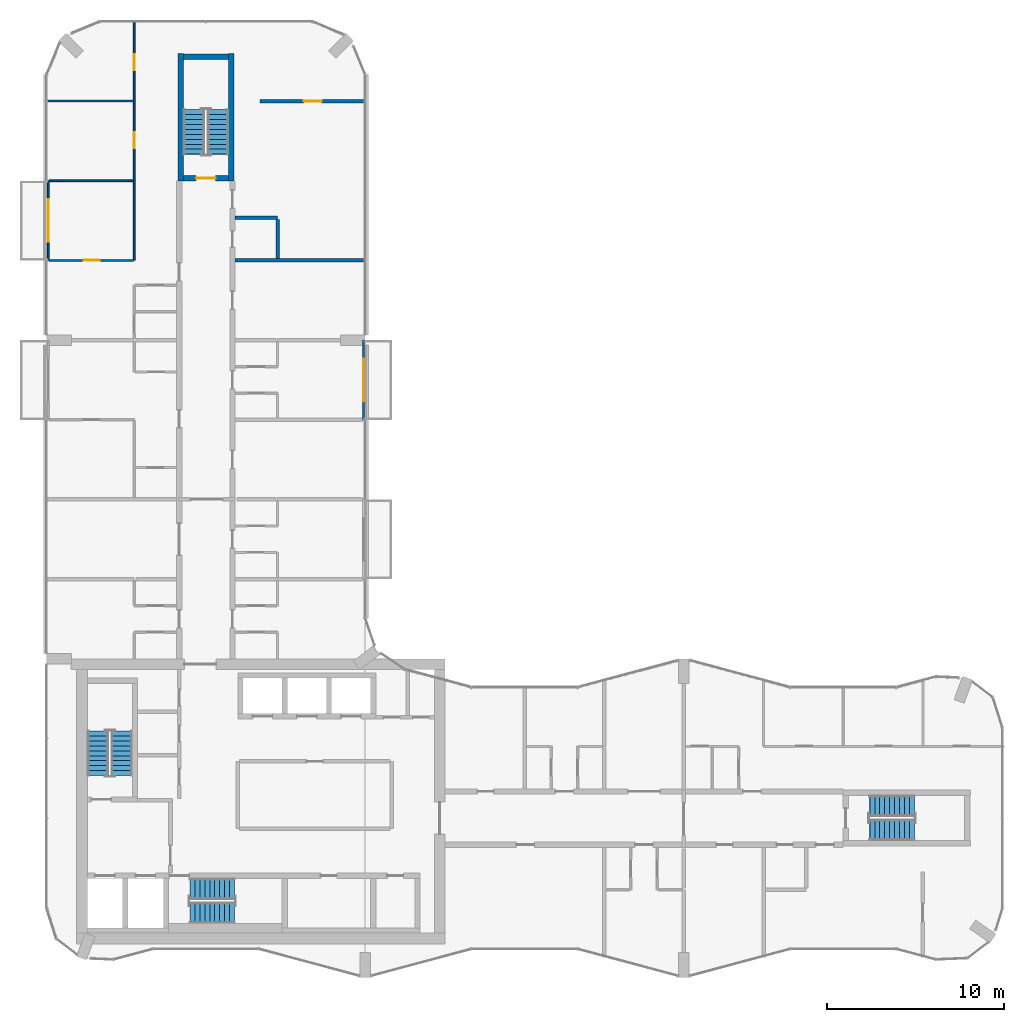
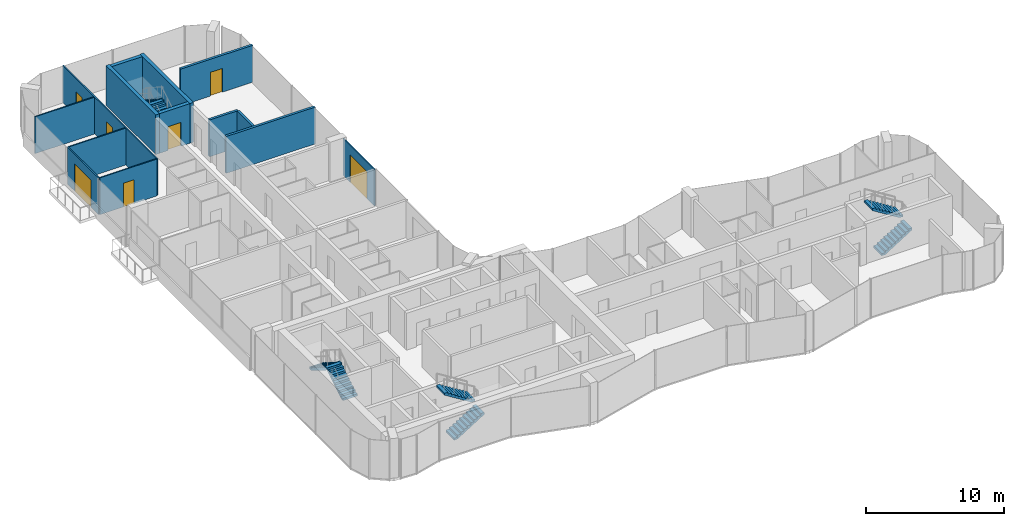
# One storey, part 13 of 15: 14 walls, 8 stair flights, 7 doors, 7 openings, 4 elements without a shape of their own.
"""IFC4 building model written with IfcOpenShell, lengths in metres."""

from ifc_helpers import new_model, si_unit, direction, frame, frame_2d, origin, place, context, subcontext, project, spatial, polyline, rectangle, outline, extrude, material, layer, layer_set, type_object, element, fill, aggregate, save


model = new_model("IFC4")

# Units and contexts
model_context = context("Model", 3, precision=1e-05, world=origin(), true_north=direction((0.0, 1.0)))
body_context = subcontext(model_context, "Body", "Model", "MODEL_VIEW")
ifc_project = project(units=[si_unit("LENGTHUNIT", "METRE"), si_unit("AREAUNIT", "SQUARE_METRE"), si_unit("VOLUMEUNIT", "CUBIC_METRE"), si_unit("PLANEANGLEUNIT", "RADIAN"), si_unit("MASSUNIT", "GRAM", prefix="KILO")], contexts=[model_context])

# Site, building, storey
site_placement = place(None, origin())
site = spatial("IfcSite", under=ifc_project, at=site_placement, CompositionType="ELEMENT")
building_placement = place(site_placement, origin())
building = spatial("IfcBuilding", under=site, at=building_placement, Name="Plateau Cross Towers", CompositionType="ELEMENT")
storey_placement = place(building_placement, frame((0.0, 0.0, 170.89990234375)))
storey = spatial("IfcBuildingStorey", under=building, at=storey_placement, Name="L44", CompositionType="ELEMENT", Elevation=170.89990234375)

# Wall, opening, door
ifc_material_1 = material(Name="Aluminium framed glazing", Category="aluminium")
ifc_layer_1 = layer(ifc_material_1, 0.10009765625)
ifc_layer_set_1 = layer_set([ifc_layer_1], Name="Aluminium framed glazing")
wall_type_1 = type_object("IfcWallType", Name="Balcony screen wall 100", PredefinedType="STANDARD", material=ifc_layer_set_1)
wall_1_placement = place(storey_placement, frame((0.10009765625, 40.5, 0.0), z_axis=(0.0, 0.0, 1.0), x_axis=(0.0, 1.0, 0.0)))
wall_1 = element("IfcWall", 1, at=wall_1_placement, inside=storey, type_object=wall_type_1, Name="Balcony screen wall A-BAL-L44-02", PredefinedType="STANDARD", context=body_context, shape_type="SweptSolid", body=[
    extrude(rectangle(XDim=4.5, YDim=0.10009765625, at=frame_2d((2.25, 0.0))), origin(), (0.0, 0.0, 1.0), 3.25),
])
opening_1_placement = place(wall_1_placement, frame((1.050048828125, 0.0, 0.0)))
opening_1 = element("IfcOpeningElement", 2, at=opening_1_placement, cuts=wall_1, Name="Opening D-B24", PredefinedType="OPENING", context=body_context, shape_type="SweptSolid", body=[
    extrude(rectangle(XDim=2.39990234375, YDim=2.39990234375, at=frame_2d((1.199951171875, 1.199951171875))), frame((0.0, 0.06005859375, 0.0), z_axis=(0.0, -1.0, 0.0), x_axis=(1.0, 0.0, 0.0)), (0.0, 0.0, 1.0), 0.1201171875),
])
ifc_material_2 = material(Name="Aluminium frame, double glazing", Category="aluminium")
door_type_1 = type_object("IfcDoorType", Name="Balcony sliding door 2400", OperationType="NOTDEFINED", PredefinedType="DOOR", material=ifc_material_2)
door_1_placement = place(opening_1_placement, origin())
door_1 = element("IfcDoor", 3, at=door_1_placement, inside=storey, type_object=door_type_1, Name="Balcony door A-BAL-L44-02", OperationType="SINGLE_SWING_LEFT", OverallHeight=2.39990234375, OverallWidth=2.39990234375, PredefinedType="DOOR", context=body_context, shape_type="SweptSolid", body=[
    extrude(rectangle(XDim=2.39990234375, YDim=2.39990234375, at=frame_2d((1.199951171875, 1.199951171875))), frame((0.0, 0.02490234375, 0.0), z_axis=(0.0, -1.0, 0.0), x_axis=(1.0, 0.0, 0.0)), (0.0, 0.0, 1.0), 0.050048828125),
])
fill(opening_1, door_1)

wall_2_placement = place(storey_placement, frame((17.89990234375, 36.0, 0.0), z_axis=(0.0, 0.0, 1.0), x_axis=(0.0, -1.0, 0.0)))
wall_2 = element("IfcWall", 4, at=wall_2_placement, inside=storey, type_object=wall_type_1, Name="Balcony screen wall A-BAL-L44-04", PredefinedType="STANDARD", context=body_context, shape_type="SweptSolid", body=[
    extrude(rectangle(XDim=4.5, YDim=0.10009765625, at=frame_2d((2.25, 0.0))), origin(), (0.0, 0.0, 1.0), 3.25),
])
opening_2_placement = place(wall_2_placement, frame((1.050048828125, 0.0, 0.0)))
opening_2 = element("IfcOpeningElement", 5, at=opening_2_placement, cuts=wall_2, Name="Opening D-B24", PredefinedType="OPENING", context=body_context, shape_type="SweptSolid", body=[
    extrude(rectangle(XDim=2.39990234375, YDim=2.39990234375, at=frame_2d((1.199951171875, 1.199951171875))), frame((0.0, 0.06005859375, 0.0), z_axis=(0.0, -1.0, 0.0), x_axis=(1.0, 0.0, 0.0)), (0.0, 0.0, 1.0), 0.1201171875),
])
door_2_placement = place(opening_2_placement, origin())
door_2 = element("IfcDoor", 6, at=door_2_placement, inside=storey, type_object=door_type_1, Name="Balcony door A-BAL-L44-04", OperationType="SINGLE_SWING_LEFT", OverallHeight=2.39990234375, OverallWidth=2.39990234375, PredefinedType="DOOR", context=body_context, shape_type="SweptSolid", body=[
    extrude(rectangle(XDim=2.39990234375, YDim=2.39990234375, at=frame_2d((1.199951171875, 1.199951171875))), frame((0.0, 0.02490234375, 0.0), z_axis=(0.0, -1.0, 0.0), x_axis=(1.0, 0.0, 0.0)), (0.0, 0.0, 1.0), 0.050048828125),
])
fill(opening_2, door_2)

ifc_material_3 = material(Name="Gypsum board on steel studs", Category="steel")
ifc_layer_2 = layer(ifc_material_3, 0.10009765625)
ifc_layer_set_2 = layer_set([ifc_layer_2], Name="Gypsum board on steel studs")
wall_type_2 = type_object("IfcWallType", Name="Flat partition 100", PredefinedType="PARTITIONING", material=ifc_layer_set_2)
wall_3_placement = place(storey_placement, frame((0.14990234375, 40.5, 0.0), z_axis=(0.0, 0.0, 1.0), x_axis=(1.0, 0.0, 0.0)))
wall_3 = element("IfcWall", 7, at=wall_3_placement, inside=storey, type_object=wall_type_2, Name="Partition wall", PredefinedType="PARTITIONING", context=body_context, shape_type="SweptSolid", body=[
    extrude(rectangle(XDim=4.75, YDim=0.10009765625, at=frame_2d((2.375, 0.0))), origin(), (0.0, 0.0, 1.0), 3.25),
])
opening_3_placement = place(wall_3_placement, frame((1.949951171875, 0.0, 0.0)))
opening_3 = element("IfcOpeningElement", 8, at=opening_3_placement, cuts=wall_3, Name="Opening 44-41", PredefinedType="OPENING", context=body_context, shape_type="SweptSolid", body=[
    extrude(rectangle(XDim=0.89990234375, YDim=2.10009765625, at=frame_2d((0.449951171875, 1.050048828125))), frame((0.0, 0.06005859375, 0.0), z_axis=(0.0, -1.0, 0.0), x_axis=(1.0, 0.0, 0.0)), (0.0, 0.0, 1.0), 0.1201171875),
])
ifc_material_4 = material(Name="Timber leaf", Category="wood")
door_type_2 = type_object("IfcDoorType", Name="Flat room door 900", OperationType="NOTDEFINED", PredefinedType="DOOR", material=ifc_material_4)
door_3_placement = place(opening_3_placement, origin())
door_3 = element("IfcDoor", 9, at=door_3_placement, inside=storey, type_object=door_type_2, Name="Door 44-41", OperationType="SINGLE_SWING_RIGHT", OverallHeight=2.10009765625, OverallWidth=0.89990234375, PredefinedType="DOOR", context=body_context, shape_type="SweptSolid", body=[
    extrude(rectangle(XDim=0.89990234375, YDim=2.10009765625, at=frame_2d((0.449951171875, 1.050048828125))), frame((0.0, 0.02490234375, 0.0), z_axis=(0.0, -1.0, 0.0), x_axis=(1.0, 0.0, 0.0)), (0.0, 0.0, 1.0), 0.050048828125),
])
fill(opening_3, door_3)

# Walls
wall_4_placement = place(storey_placement, frame((4.89990234375, 45.0, 0.0), z_axis=(0.0, 0.0, 1.0), x_axis=(-1.0, 0.0, 0.0)))
element("IfcWall", 10, at=wall_4_placement, inside=storey, type_object=wall_type_2, Name="Partition wall", PredefinedType="PARTITIONING", context=body_context, shape_type="SweptSolid", body=[
    extrude(rectangle(XDim=4.75, YDim=0.10009765625, at=frame_2d((2.375, 0.0))), origin(), (0.0, 0.0, 1.0), 3.25),
])
wall_5_placement = place(storey_placement, frame((4.89990234375, 49.5, 0.0), z_axis=(0.0, 0.0, 1.0), x_axis=(-1.0, 0.0, 0.0)))
element("IfcWall", 11, at=wall_5_placement, inside=storey, type_object=wall_type_2, Name="Partition wall", PredefinedType="PARTITIONING", context=body_context, shape_type="SweptSolid", body=[
    extrude(rectangle(XDim=4.97998046875, YDim=0.10009765625, at=frame_2d((2.489990234375, 0.0))), origin(), (0.0, 0.0, 1.0), 3.25),
])

# Wall, openings, doors
wall_6_placement = place(storey_placement, frame((4.949951171875, 40.5, 0.0), z_axis=(0.0, 0.0, 1.0), x_axis=(0.0, 1.0, 0.0)))
wall_6 = element("IfcWall", 12, at=wall_6_placement, inside=storey, type_object=wall_type_2, Name="Partition wall", PredefinedType="PARTITIONING", context=body_context, shape_type="SweptSolid", body=[
    extrude(rectangle(XDim=13.580078125, YDim=0.10009765625, at=frame_2d((6.7900390625, 0.0))), origin(), (0.0, 0.0, 1.0), 3.25),
])
opening_4_placement = place(wall_6_placement, frame((6.35009765625, 0.0, 0.0)))
opening_4 = element("IfcOpeningElement", 13, at=opening_4_placement, cuts=wall_6, Name="Opening 44-42", PredefinedType="OPENING", context=body_context, shape_type="SweptSolid", body=[
    extrude(rectangle(XDim=0.89990234375, YDim=2.10009765625, at=frame_2d((0.449951171875, 1.050048828125))), frame((0.0, 0.06005859375, 0.0), z_axis=(0.0, -1.0, 0.0), x_axis=(1.0, 0.0, 0.0)), (0.0, 0.0, 1.0), 0.1201171875),
])
opening_5_placement = place(wall_6_placement, frame((10.75, 0.0, 0.0)))
opening_5 = element("IfcOpeningElement", 14, at=opening_5_placement, cuts=wall_6, Name="Opening 44-43", PredefinedType="OPENING", context=body_context, shape_type="SweptSolid", body=[
    extrude(rectangle(XDim=0.89990234375, YDim=2.10009765625, at=frame_2d((0.449951171875, 1.050048828125))), frame((0.0, 0.06005859375, 0.0), z_axis=(0.0, -1.0, 0.0), x_axis=(1.0, 0.0, 0.0)), (0.0, 0.0, 1.0), 0.1201171875),
])
door_4_placement = place(opening_4_placement, origin())
door_4 = element("IfcDoor", 15, at=door_4_placement, inside=storey, type_object=door_type_2, Name="Door 44-42", OperationType="SINGLE_SWING_RIGHT", OverallHeight=2.10009765625, OverallWidth=0.89990234375, PredefinedType="DOOR", context=body_context, shape_type="SweptSolid", body=[
    extrude(rectangle(XDim=0.89990234375, YDim=2.10009765625, at=frame_2d((0.449951171875, 1.050048828125))), frame((0.0, 0.02490234375, 0.0), z_axis=(0.0, -1.0, 0.0), x_axis=(1.0, 0.0, 0.0)), (0.0, 0.0, 1.0), 0.050048828125),
])
fill(opening_4, door_4)
door_5_placement = place(opening_5_placement, origin())
door_5 = element("IfcDoor", 16, at=door_5_placement, inside=storey, type_object=door_type_2, Name="Door 44-43", OperationType="SINGLE_SWING_RIGHT", OverallHeight=2.10009765625, OverallWidth=0.89990234375, PredefinedType="DOOR", context=body_context, shape_type="SweptSolid", body=[
    extrude(rectangle(XDim=0.89990234375, YDim=2.10009765625, at=frame_2d((0.449951171875, 1.050048828125))), frame((0.0, 0.02490234375, 0.0), z_axis=(0.0, -1.0, 0.0), x_axis=(1.0, 0.0, 0.0)), (0.0, 0.0, 1.0), 0.050048828125),
])
fill(opening_5, door_5)

# Walls
ifc_material_5 = material(Name="Gypsum board on steel studs, two layers each side", Category="steel")
ifc_layer_3 = layer(ifc_material_5, 0.199951171875)
ifc_layer_set_3 = layer_set([ifc_layer_3], Name="Gypsum board on steel studs, two layers each side")
wall_type_3 = type_object("IfcWallType", Name="Flat party wall 200", PredefinedType="PARTITIONING", material=ifc_layer_set_3)
wall_7_placement = place(storey_placement, frame((18.080078125, 40.5, 0.0), z_axis=(0.0, 0.0, 1.0), x_axis=(-1.0, 0.0, 0.0)))
element("IfcWall", 17, at=wall_7_placement, inside=storey, type_object=wall_type_3, Name="Party wall", PredefinedType="PARTITIONING", context=body_context, shape_type="SweptSolid", body=[
    extrude(rectangle(XDim=7.43017578125, YDim=0.199951171875, at=frame_2d((3.715087890625, 0.0))), origin(), (0.0, 0.0, 1.0), 3.25),
])
wall_8_placement = place(storey_placement, frame((13.050048828125, 42.89990234375, 0.0), z_axis=(0.0, 0.0, 1.0), x_axis=(-1.0, 0.0, 0.0)))
element("IfcWall", 18, at=wall_8_placement, inside=storey, type_object=wall_type_3, Name="Party wall", PredefinedType="PARTITIONING", context=body_context, shape_type="SweptSolid", body=[
    extrude(rectangle(XDim=2.400146484375, YDim=0.199951171875, at=frame_2d((1.2001953125, 0.0))), origin(), (0.0, 0.0, 1.0), 3.25),
])

# Wall, opening, door
wall_9_placement = place(storey_placement, frame((18.080078125, 49.5, 0.0), z_axis=(0.0, 0.0, 1.0), x_axis=(-1.0, 0.0, 0.0)))
wall_9 = element("IfcWall", 19, at=wall_9_placement, inside=storey, type_object=wall_type_3, Name="Party wall", PredefinedType="PARTITIONING", context=body_context, shape_type="SweptSolid", body=[
    extrude(rectangle(XDim=6.030029296875, YDim=0.199951171875, at=frame_2d((3.01513671875, 0.0))), origin(), (0.0, 0.0, 1.0), 3.25),
])
opening_6_placement = place(wall_9_placement, frame((2.550048828125, 0.0, 0.0)))
opening_6 = element("IfcOpeningElement", 20, at=opening_6_placement, cuts=wall_9, Name="Opening 44-24", PredefinedType="OPENING", context=body_context, shape_type="SweptSolid", body=[
    extrude(rectangle(XDim=1.0, YDim=2.10009765625, at=frame_2d((0.5, 1.050048828125))), frame((0.0, 0.10986328125, 0.0), z_axis=(0.0, -1.0, 0.0), x_axis=(1.0, 0.0, 0.0)), (0.0, 0.0, 1.0), 0.219970703125),
])
ifc_material_6 = material(Name="Timber, fire-resisting leaf", Category="wood")
door_type_3 = type_object("IfcDoorType", Name="Flat entrance door 1000", OperationType="NOTDEFINED", PredefinedType="DOOR", material=ifc_material_6)
door_6_placement = place(opening_6_placement, origin())
door_6 = element("IfcDoor", 21, at=door_6_placement, inside=storey, type_object=door_type_3, Name="Door 44-24", OperationType="SINGLE_SWING_RIGHT", OverallHeight=2.10009765625, OverallWidth=1.0, PredefinedType="DOOR", context=body_context, shape_type="SweptSolid", body=[
    extrude(rectangle(XDim=1.0, YDim=2.10009765625, at=frame_2d((0.5, 1.050048828125))), frame((0.0, 0.02490234375, 0.0), z_axis=(0.0, -1.0, 0.0), x_axis=(1.0, 0.0, 0.0)), (0.0, 0.0, 1.0), 0.050048828125),
])
fill(opening_6, door_6)

# Wall
wall_10_placement = place(storey_placement, frame((13.050048828125, 40.60009765625, 0.0), z_axis=(0.0, 0.0, 1.0), x_axis=(0.0, 1.0, 0.0)))
element("IfcWall", 22, at=wall_10_placement, inside=storey, type_object=wall_type_3, Name="Party wall", PredefinedType="PARTITIONING", context=body_context, shape_type="SweptSolid", body=[
    extrude(rectangle(XDim=2.199951171875, YDim=0.199951171875, at=frame_2d((1.10009765625, 0.0))), origin(), (0.0, 0.0, 1.0), 3.25),
])

# Wall, opening, door
ifc_material_7 = material(Name="Concrete C60/75", Category="concrete")
ifc_layer_4 = layer(ifc_material_7, 0.300048828125)
ifc_layer_set_4 = layer_set([ifc_layer_4], Name="Concrete C60/75")
wall_type_4 = type_object("IfcWallType", Name="Stair tower wall 300", PredefinedType="SHEAR", material=ifc_layer_set_4)
wall_11_placement = place(storey_placement, frame((7.72509765625, 45.14990234375, 0.0), z_axis=(0.0, 0.0, 1.0), x_axis=(1.0, 0.0, 0.0)))
wall_11 = element("IfcWall", 23, at=wall_11_placement, inside=storey, type_object=wall_type_4, Name="A-end-N-S@L44", PredefinedType="SHEAR", context=body_context, shape_type="SweptSolid", body=[
    extrude(rectangle(XDim=2.5498046875, YDim=0.300048828125, at=frame_2d((1.27490234375, 0.0))), origin(), (0.0, 0.0, 1.0), 3.5),
])
opening_7_placement = place(wall_11_placement, frame((0.72509765625, 0.0, 0.0)))
opening_7 = element("IfcOpeningElement", 24, at=opening_7_placement, cuts=wall_11, Name="Opening SD", PredefinedType="OPENING", context=body_context, shape_type="SweptSolid", body=[
    extrude(rectangle(XDim=1.10009765625, YDim=2.10009765625, at=frame_2d((0.550048828125, 1.050048828125))), frame((0.0, 0.159912109375, 0.0), z_axis=(0.0, -1.0, 0.0), x_axis=(1.0, 0.0, 0.0)), (0.0, 0.0, 1.0), 0.320068359375),
])
ifc_material_8 = material(Name="Steel, fire-resisting leaf", Category="steel")
door_type_4 = type_object("IfcDoorType", Name="Stair door 1100", OperationType="NOTDEFINED", PredefinedType="DOOR", material=ifc_material_8)
door_7_placement = place(opening_7_placement, origin())
door_7 = element("IfcDoor", 25, at=door_7_placement, inside=storey, type_object=door_type_4, Name="Stair door SD", OperationType="SINGLE_SWING_LEFT", OverallHeight=2.10009765625, OverallWidth=1.10009765625, PredefinedType="DOOR", context=body_context, shape_type="SweptSolid", body=[
    extrude(rectangle(XDim=1.10009765625, YDim=2.10009765625, at=frame_2d((0.550048828125, 1.050048828125))), frame((0.0, 0.02490234375, 0.0), z_axis=(0.0, -1.0, 0.0), x_axis=(1.0, 0.0, 0.0)), (0.0, 0.0, 1.0), 0.050048828125),
])
fill(opening_7, door_7)

# Walls
wall_12_placement = place(storey_placement, frame((7.72509765625, 52.0, 0.0), z_axis=(0.0, 0.0, 1.0), x_axis=(1.0, 0.0, 0.0)))
element("IfcWall", 26, at=wall_12_placement, inside=storey, type_object=wall_type_4, Name="A-end-N-N@L44", PredefinedType="SHEAR", context=body_context, shape_type="SweptSolid", body=[
    extrude(rectangle(XDim=2.5498046875, YDim=0.300048828125, at=frame_2d((1.27490234375, 0.0))), origin(), (0.0, 0.0, 1.0), 3.5),
])
for number, where, z_axis, x_axis, name in (
    (27, (7.574951171875, 45.0, 0.0), (0.0, 0.0, 1.0), (0.0, 1.0, 0.0), "A-end-N-W@L44"),
    (28, (10.425048828125, 45.0, 0.0), (0.0, 0.0, 1.0), (0.0, 1.0, 0.0), "A-end-N-E@L44"),
):
    element("IfcWall", number, at=place(storey_placement, frame(where, z_axis=z_axis, x_axis=x_axis)), inside=storey, type_object=wall_type_4, Name=name, PredefinedType="SHEAR", context=body_context, shape_type="SweptSolid", body=[
        extrude(rectangle(XDim=7.199951171875, YDim=0.300048828125, at=frame_2d((3.60009765625, 0.0))), origin(), (0.0, 0.0, 1.0), 3.5),
    ])

# Stair, stair flights
ifc_material_9 = material(Name="Concrete C40/50", Category="concrete")
stair_type = type_object("IfcStairType", Name="ST-TWR", PredefinedType="HALF_TURN_STAIR", material=ifc_material_9)
stair_1_placement = place(storey_placement, origin())
stair_1 = element("IfcStair", 29, at=stair_1_placement, inside=storey, type_object=stair_type, Name="L44 Protected Exit Stair ST-1", PredefinedType="HALF_TURN_STAIR")
stair_flight_type = type_object("IfcStairFlightType", Name="SFL-RC", PredefinedType="STRAIGHT", material=ifc_material_9)
stair_flight_1_placement = place(storey_placement, frame((4.25, 11.39990234375, 0.0), z_axis=(0.0, 0.0, 1.0), x_axis=(0.0, 1.0, 0.0)))
stair_flight_1 = element("IfcStairFlight", 30, at=stair_flight_1_placement, type_object=stair_flight_type, Name="ST-1 flight 1", NumberOfRisers=10, NumberOfTreads=9, PredefinedType="STRAIGHT", RiserHeight=0.175, TreadLength=0.28, context=body_context, shape_type="SweptSolid", body=[
    extrude(outline(polyline([(-0.0048828125, -0.010009765625), (-0.0048828125, 0.0), (0.0, 0.0), (0.0, 0.175048828125), (0.280029296875, 0.175048828125), (0.280029296875, 0.35009765625), (0.56005859375, 0.35009765625), (0.56005859375, 0.52490234375), (0.840087890625, 0.52490234375), (0.840087890625, 0.699951171875), (1.1201171875, 0.699951171875), (1.1201171875, 0.875), (1.39990234375, 0.875), (1.39990234375, 1.050048828125), (1.679931640625, 1.050048828125), (1.679931640625, 1.22509765625), (1.9599609375, 1.22509765625), (1.9599609375, 1.39990234375), (2.239990234375, 1.39990234375), (2.239990234375, 1.574951171875), (2.52001953125, 1.574951171875), (2.52490234375, 1.56494140625), (2.52490234375, 1.398193359375), (2.52001953125, 1.398193359375), (0.28271484375, 0.0), (0.02001953125, 0.0), (0.02001953125, -0.010009765625), (-0.0048828125, -0.010009765625)])), frame((0.0, 0.60009765625, 0.0), z_axis=(0.0, -1.0, 0.0), x_axis=(1.0, 0.0, 0.0)), (0.0, 0.0, 1.0), 1.199951171875),
])
stair_flight_2_placement = place(storey_placement, frame((2.89990234375, 13.919921875, 1.75), z_axis=(0.0, 0.0, 1.0), x_axis=(0.0, -1.0, 0.0)))
stair_flight_2 = element("IfcStairFlight", 31, at=stair_flight_2_placement, type_object=stair_flight_type, Name="ST-1 flight 2", NumberOfRisers=10, NumberOfTreads=9, PredefinedType="STRAIGHT", RiserHeight=0.175, TreadLength=0.28, context=body_context, shape_type="SweptSolid", body=[
    extrude(outline(polyline([(-0.0048828125, -0.010009765625), (-0.0048828125, 0.0), (0.0, 0.0), (0.0, 0.175048828125), (0.280029296875, 0.175048828125), (0.280029296875, 0.35009765625), (0.56005859375, 0.35009765625), (0.56005859375, 0.52490234375), (0.840087890625, 0.52490234375), (0.840087890625, 0.699951171875), (1.1201171875, 0.699951171875), (1.1201171875, 0.875), (1.39990234375, 0.875), (1.39990234375, 1.050048828125), (1.679931640625, 1.050048828125), (1.679931640625, 1.22509765625), (1.9599609375, 1.22509765625), (1.9599609375, 1.39990234375), (2.239990234375, 1.39990234375), (2.239990234375, 1.574951171875), (2.52001953125, 1.574951171875), (2.52490234375, 1.56494140625), (2.52490234375, 1.398193359375), (2.52001953125, 1.398193359375), (0.28271484375, 0.0), (0.02001953125, 0.0), (0.02001953125, -0.010009765625), (-0.0048828125, -0.010009765625)])), frame((0.0, 0.60009765625, 0.0), z_axis=(0.0, -1.0, 0.0), x_axis=(1.0, 0.0, 0.0)), (0.0, 0.0, 1.0), 1.199951171875),
])
aggregate(stair_1, [stair_flight_1, stair_flight_2])

stair_2_placement = place(storey_placement, origin())
stair_2 = element("IfcStair", 32, at=stair_2_placement, inside=storey, type_object=stair_type, Name="L44 Protected Exit Stair ST-2", PredefinedType="HALF_TURN_STAIR")
stair_flight_3_placement = place(storey_placement, frame((8.10009765625, 3.64990234375, 0.0), z_axis=(0.0, 0.0, 1.0), x_axis=(1.0, 0.0, 0.0)))
stair_flight_3 = element("IfcStairFlight", 33, at=stair_flight_3_placement, type_object=stair_flight_type, Name="ST-2 flight 1", NumberOfRisers=10, NumberOfTreads=9, PredefinedType="STRAIGHT", RiserHeight=0.175, TreadLength=0.28, context=body_context, shape_type="SweptSolid", body=[
    extrude(outline(polyline([(-0.0048828125, -0.010009765625), (-0.0048828125, 0.0), (0.0, 0.0), (0.0, 0.175048828125), (0.280029296875, 0.175048828125), (0.280029296875, 0.35009765625), (0.56005859375, 0.35009765625), (0.56005859375, 0.52490234375), (0.840087890625, 0.52490234375), (0.840087890625, 0.699951171875), (1.1201171875, 0.699951171875), (1.1201171875, 0.875), (1.39990234375, 0.875), (1.39990234375, 1.050048828125), (1.679931640625, 1.050048828125), (1.679931640625, 1.22509765625), (1.9599609375, 1.22509765625), (1.9599609375, 1.39990234375), (2.239990234375, 1.39990234375), (2.239990234375, 1.574951171875), (2.52001953125, 1.574951171875), (2.52490234375, 1.56494140625), (2.52490234375, 1.398193359375), (2.52001953125, 1.398193359375), (0.28271484375, 0.0), (0.02001953125, 0.0), (0.02001953125, -0.010009765625), (-0.0048828125, -0.010009765625)])), frame((0.0, 0.60009765625, 0.0), z_axis=(0.0, -1.0, 0.0), x_axis=(1.0, 0.0, 0.0)), (0.0, 0.0, 1.0), 1.199951171875),
])
stair_flight_4_placement = place(storey_placement, frame((10.6201171875, 5.0, 1.75), z_axis=(0.0, 0.0, 1.0), x_axis=(-1.0, 0.0, 0.0)))
stair_flight_4 = element("IfcStairFlight", 34, at=stair_flight_4_placement, type_object=stair_flight_type, Name="ST-2 flight 2", NumberOfRisers=10, NumberOfTreads=9, PredefinedType="STRAIGHT", RiserHeight=0.175, TreadLength=0.28, context=body_context, shape_type="SweptSolid", body=[
    extrude(outline(polyline([(-0.0048828125, -0.010009765625), (-0.0048828125, 0.0), (0.0, 0.0), (0.0, 0.175048828125), (0.280029296875, 0.175048828125), (0.280029296875, 0.35009765625), (0.56005859375, 0.35009765625), (0.56005859375, 0.52490234375), (0.840087890625, 0.52490234375), (0.840087890625, 0.699951171875), (1.1201171875, 0.699951171875), (1.1201171875, 0.875), (1.39990234375, 0.875), (1.39990234375, 1.050048828125), (1.679931640625, 1.050048828125), (1.679931640625, 1.22509765625), (1.9599609375, 1.22509765625), (1.9599609375, 1.39990234375), (2.239990234375, 1.39990234375), (2.239990234375, 1.574951171875), (2.52001953125, 1.574951171875), (2.52490234375, 1.56494140625), (2.52490234375, 1.398193359375), (2.52001953125, 1.398193359375), (0.28271484375, 0.0), (0.02001953125, 0.0), (0.02001953125, -0.010009765625), (-0.0048828125, -0.010009765625)])), frame((0.0, 0.60009765625, 0.0), z_axis=(0.0, -1.0, 0.0), x_axis=(1.0, 0.0, 0.0)), (0.0, 0.0, 1.0), 1.199951171875),
])
aggregate(stair_2, [stair_flight_3, stair_flight_4])

stair_3_placement = place(storey_placement, origin())
stair_3 = element("IfcStair", 35, at=stair_3_placement, inside=storey, type_object=stair_type, Name="L44 Protected Exit Stair E", PredefinedType="HALF_TURN_STAIR")
stair_flight_5_placement = place(storey_placement, frame((46.5, 8.324951171875, 0.0), z_axis=(0.0, 0.0, 1.0), x_axis=(1.0, 0.0, 0.0)))
stair_flight_5 = element("IfcStairFlight", 36, at=stair_flight_5_placement, type_object=stair_flight_type, Name="ES-E flight 1", NumberOfRisers=10, NumberOfTreads=9, PredefinedType="STRAIGHT", RiserHeight=0.175, TreadLength=0.28, context=body_context, shape_type="SweptSolid", body=[
    extrude(outline(polyline([(-0.0048828125, -0.010009765625), (-0.0048828125, 0.0), (0.0, 0.0), (0.0, 0.175048828125), (0.280029296875, 0.175048828125), (0.280029296875, 0.35009765625), (0.56005859375, 0.35009765625), (0.56005859375, 0.52490234375), (0.840087890625, 0.52490234375), (0.840087890625, 0.699951171875), (1.1201171875, 0.699951171875), (1.1201171875, 0.875), (1.39990234375, 0.875), (1.39990234375, 1.050048828125), (1.679931640625, 1.050048828125), (1.679931640625, 1.22509765625), (1.9599609375, 1.22509765625), (1.9599609375, 1.39990234375), (2.239990234375, 1.39990234375), (2.239990234375, 1.574951171875), (2.52001953125, 1.574951171875), (2.52490234375, 1.56494140625), (2.52490234375, 1.398193359375), (2.52001953125, 1.398193359375), (0.28271484375, 0.0), (0.02001953125, 0.0), (0.02001953125, -0.010009765625), (-0.0048828125, -0.010009765625)])), frame((0.0, 0.60009765625, 0.0), z_axis=(0.0, -1.0, 0.0), x_axis=(1.0, 0.0, 0.0)), (0.0, 0.0, 1.0), 1.199951171875),
])
stair_flight_6_placement = place(storey_placement, frame((49.02001953125, 9.675048828125, 1.75), z_axis=(0.0, 0.0, 1.0), x_axis=(-1.0, 0.0, 0.0)))
stair_flight_6 = element("IfcStairFlight", 37, at=stair_flight_6_placement, type_object=stair_flight_type, Name="ES-E flight 2", NumberOfRisers=10, NumberOfTreads=9, PredefinedType="STRAIGHT", RiserHeight=0.175, TreadLength=0.28, context=body_context, shape_type="SweptSolid", body=[
    extrude(outline(polyline([(-0.0048828125, -0.010009765625), (-0.0048828125, 0.0), (0.0, 0.0), (0.0, 0.175048828125), (0.280029296875, 0.175048828125), (0.280029296875, 0.35009765625), (0.56005859375, 0.35009765625), (0.56005859375, 0.52490234375), (0.840087890625, 0.52490234375), (0.840087890625, 0.699951171875), (1.1201171875, 0.699951171875), (1.1201171875, 0.875), (1.39990234375, 0.875), (1.39990234375, 1.050048828125), (1.679931640625, 1.050048828125), (1.679931640625, 1.22509765625), (1.9599609375, 1.22509765625), (1.9599609375, 1.39990234375), (2.239990234375, 1.39990234375), (2.239990234375, 1.574951171875), (2.52001953125, 1.574951171875), (2.52490234375, 1.56494140625), (2.52490234375, 1.398193359375), (2.52001953125, 1.398193359375), (0.28271484375, 0.0), (0.02001953125, 0.0), (0.02001953125, -0.010009765625), (-0.0048828125, -0.010009765625)])), frame((0.0, 0.60009765625, 0.0), z_axis=(0.0, -1.0, 0.0), x_axis=(1.0, 0.0, 0.0)), (0.0, 0.0, 1.0), 1.199951171875),
])
aggregate(stair_3, [stair_flight_5, stair_flight_6])

stair_4_placement = place(storey_placement, origin())
stair_4 = element("IfcStair", 38, at=stair_4_placement, inside=storey, type_object=stair_type, Name="L44 Protected Exit Stair N", PredefinedType="HALF_TURN_STAIR")
stair_flight_7_placement = place(storey_placement, frame((9.675048828125, 46.5, 0.0), z_axis=(0.0, 0.0, 1.0), x_axis=(0.0, 1.0, 0.0)))
stair_flight_7 = element("IfcStairFlight", 39, at=stair_flight_7_placement, type_object=stair_flight_type, Name="ES-N flight 1", NumberOfRisers=10, NumberOfTreads=9, PredefinedType="STRAIGHT", RiserHeight=0.175, TreadLength=0.28, context=body_context, shape_type="SweptSolid", body=[
    extrude(outline(polyline([(-0.0048828125, -0.010009765625), (-0.0048828125, 0.0), (0.0, 0.0), (0.0, 0.175048828125), (0.280029296875, 0.175048828125), (0.280029296875, 0.35009765625), (0.56005859375, 0.35009765625), (0.56005859375, 0.52490234375), (0.840087890625, 0.52490234375), (0.840087890625, 0.699951171875), (1.1201171875, 0.699951171875), (1.1201171875, 0.875), (1.39990234375, 0.875), (1.39990234375, 1.050048828125), (1.679931640625, 1.050048828125), (1.679931640625, 1.22509765625), (1.9599609375, 1.22509765625), (1.9599609375, 1.39990234375), (2.239990234375, 1.39990234375), (2.239990234375, 1.574951171875), (2.52001953125, 1.574951171875), (2.52490234375, 1.56494140625), (2.52490234375, 1.398193359375), (2.52001953125, 1.398193359375), (0.28271484375, 0.0), (0.02001953125, 0.0), (0.02001953125, -0.010009765625), (-0.0048828125, -0.010009765625)])), frame((0.0, 0.60009765625, 0.0), z_axis=(0.0, -1.0, 0.0), x_axis=(1.0, 0.0, 0.0)), (0.0, 0.0, 1.0), 1.199951171875),
])
stair_flight_8_placement = place(storey_placement, frame((8.324951171875, 49.02001953125, 1.75), z_axis=(0.0, 0.0, 1.0), x_axis=(0.0, -1.0, 0.0)))
stair_flight_8 = element("IfcStairFlight", 40, at=stair_flight_8_placement, type_object=stair_flight_type, Name="ES-N flight 2", NumberOfRisers=10, NumberOfTreads=9, PredefinedType="STRAIGHT", RiserHeight=0.175, TreadLength=0.28, context=body_context, shape_type="SweptSolid", body=[
    extrude(outline(polyline([(-0.0048828125, -0.010009765625), (-0.0048828125, 0.0), (0.0, 0.0), (0.0, 0.175048828125), (0.280029296875, 0.175048828125), (0.280029296875, 0.35009765625), (0.56005859375, 0.35009765625), (0.56005859375, 0.52490234375), (0.840087890625, 0.52490234375), (0.840087890625, 0.699951171875), (1.1201171875, 0.699951171875), (1.1201171875, 0.875), (1.39990234375, 0.875), (1.39990234375, 1.050048828125), (1.679931640625, 1.050048828125), (1.679931640625, 1.22509765625), (1.9599609375, 1.22509765625), (1.9599609375, 1.39990234375), (2.239990234375, 1.39990234375), (2.239990234375, 1.574951171875), (2.52001953125, 1.574951171875), (2.52490234375, 1.56494140625), (2.52490234375, 1.398193359375), (2.52001953125, 1.398193359375), (0.28271484375, 0.0), (0.02001953125, 0.0), (0.02001953125, -0.010009765625), (-0.0048828125, -0.010009765625)])), frame((0.0, 0.60009765625, 0.0), z_axis=(0.0, -1.0, 0.0), x_axis=(1.0, 0.0, 0.0)), (0.0, 0.0, 1.0), 1.199951171875),
])
aggregate(stair_4, [stair_flight_7, stair_flight_8])

save(model, "model.ifc")
